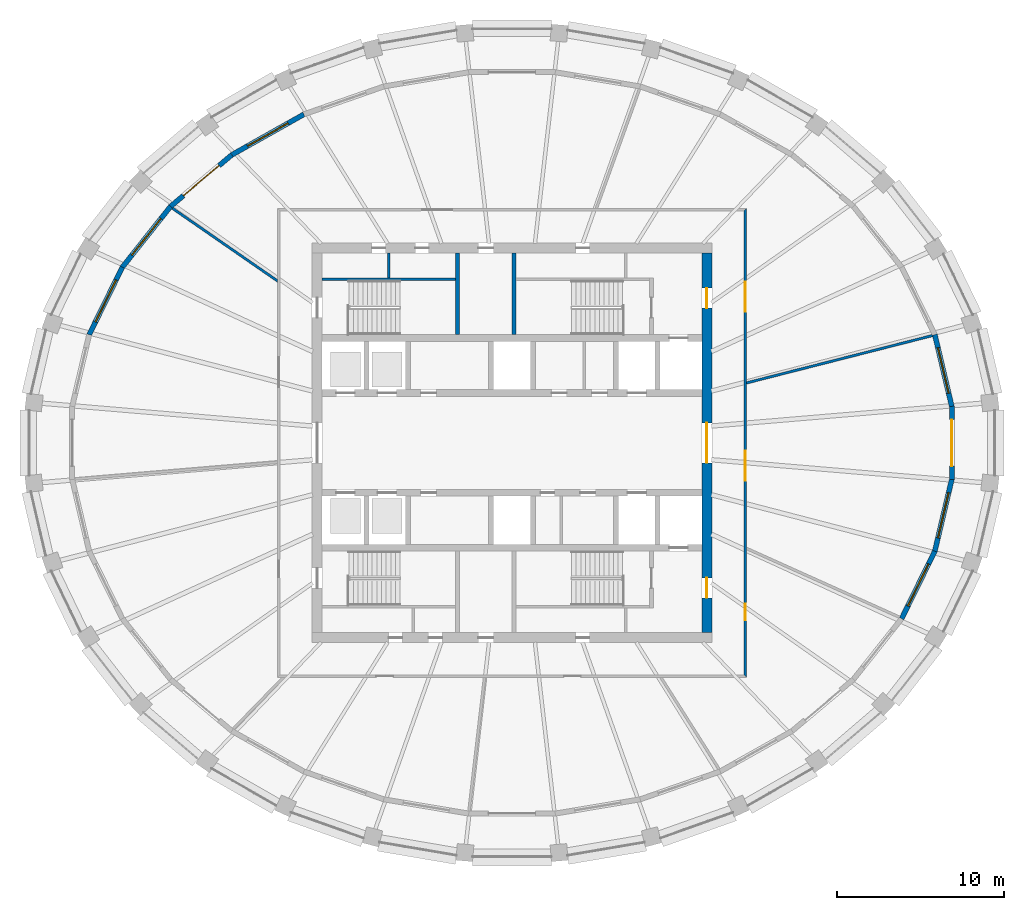
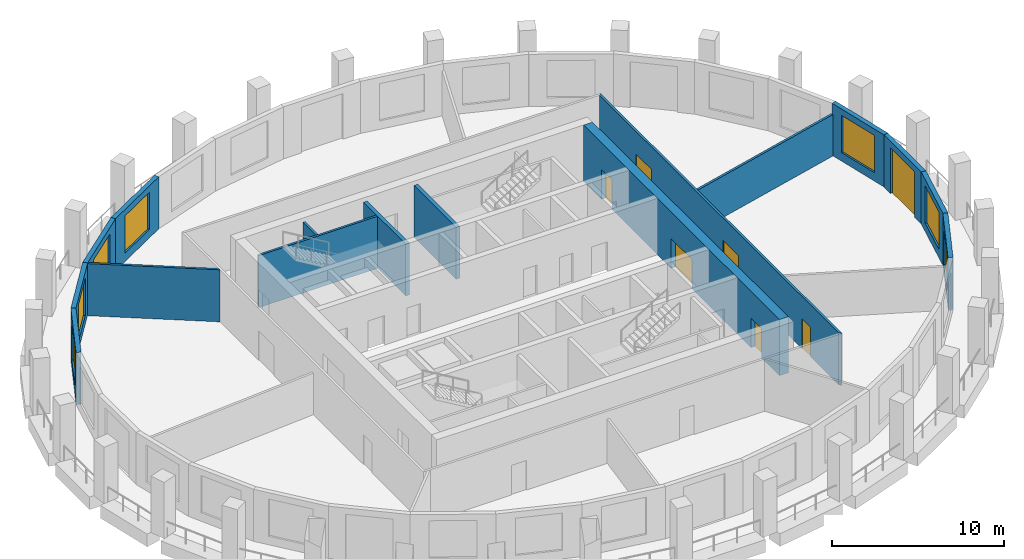
# One storey, part 5 of 10: 16 walls, 8 doors, 6 windows, 14 openings.
"""IFC4 building model written with IfcOpenShell, lengths in metres."""

from ifc_helpers import new_model, si_unit, direction, frame, frame_2d, origin, place, context, subcontext, project, spatial, polyline, rectangle, outline, extrude, material, layer, layer_set, type_object, element, fill, save


model = new_model("IFC4")

# Units and contexts
model_context = context("Model", 3, precision=1e-05, world=origin(), true_north=direction((0.0, 1.0)))
body_context = subcontext(model_context, "Body", "Model", "MODEL_VIEW")
ifc_project = project(units=[si_unit("LENGTHUNIT", "METRE"), si_unit("AREAUNIT", "SQUARE_METRE"), si_unit("VOLUMEUNIT", "CUBIC_METRE"), si_unit("PLANEANGLEUNIT", "RADIAN"), si_unit("MASSUNIT", "GRAM", prefix="KILO")], contexts=[model_context])

# Site, building, storey
site_placement = place(None, origin())
site = spatial("IfcSite", under=ifc_project, at=site_placement, CompositionType="ELEMENT")
building_placement = place(site_placement, origin())
building = spatial("IfcBuilding", under=site, at=building_placement, Name="Halqa Exchange Tower", CompositionType="ELEMENT")
storey_placement = place(building_placement, frame((0.0, 0.0, 300.300048828125)))
storey = spatial("IfcBuildingStorey", under=building, at=storey_placement, Name="L70", CompositionType="ELEMENT", Elevation=300.300048828125)

# Wall
ifc_material_1 = material(Name="Fire-rated gypsum board")
ifc_layer_1 = layer(ifc_material_1, 0.14990234375)
ifc_layer_set_1 = layer_set([ifc_layer_1], Name="Fire-rated gypsum board")
wall_type_1 = type_object("IfcWallType", Name="Fire partition EI 60 150", PredefinedType="PARTITIONING", material=ifc_layer_set_1)
wall_1_placement = place(storey_placement, frame((-20.400146484375, 14.09423828125, 0.0), z_axis=(0.0, 0.0, 1.0), x_axis=(0.822587107867, -0.568639121035, 0.0)))
element("IfcWall", 1, at=wall_1_placement, inside=storey, type_object=wall_type_1, Name="L70-PWL-001", PredefinedType="PARTITIONING", context=body_context, shape_type="SweptSolid", body=[
    extrude(outline(polyline([(7.740966796875, -0.074951171875), (7.740966796875, -0.07470703125), (7.637451171875, 0.074951171875), (5.734375, 0.074951171875), (3.8310546875, 0.074951171875), (1.927978515625, 0.074951171875), (0.024658203125, 0.074951171875), (0.004638671875, 0.001708984375), (0.0, -0.06982421875), (0.0, -0.074951171875), (1.935302734375, -0.074951171875), (3.87060546875, -0.074951171875), (5.8056640625, -0.074951171875), (7.740966796875, -0.074951171875)])), origin(), (0.0, 0.0, 1.0), 3.699951171875),
])

# Wall, openings, doors
wall_2_placement = place(storey_placement, frame((14.0, -14.074951171875, 0.0), z_axis=(0.0, 0.0, 1.0), x_axis=(0.0, 1.0, 0.0)))
wall_2 = element("IfcWall", 2, at=wall_2_placement, inside=storey, type_object=wall_type_1, Name="L70-PWL-010", PredefinedType="PARTITIONING", context=body_context, shape_type="SweptSolid", body=[
    extrude(outline(polyline([(0.0, -0.074951171875), (1.876708984375, -0.074951171875), (3.75341796875, -0.074951171875), (5.6298828125, -0.074951171875), (7.506591796875, -0.074951171875), (9.38330078125, -0.074951171875), (11.260009765625, -0.074951171875), (13.13671875, -0.074951171875), (15.01318359375, -0.074951171875), (16.889892578125, -0.074951171875), (18.7666015625, -0.074951171875), (20.643310546875, -0.074951171875), (22.52001953125, -0.074951171875), (24.396484375, -0.074951171875), (26.273193359375, -0.074951171875), (28.14990234375, -0.074951171875), (28.0, 0.074951171875), (26.0107421875, 0.074951171875), (24.021484375, 0.074951171875), (22.0322265625, 0.074951171875), (20.042724609375, 0.074951171875), (18.053466796875, 0.074951171875), (16.064208984375, 0.074951171875), (14.074951171875, 0.074951171875), (12.085693359375, 0.074951171875), (10.096435546875, 0.074951171875), (8.107177734375, 0.074951171875), (6.11767578125, 0.074951171875), (4.12841796875, 0.074951171875), (2.13916015625, 0.074951171875), (0.14990234375, 0.074951171875), (0.0, -0.074951171875)])), origin(), (0.0, 0.0, 1.0), 3.699951171875),
])
opening_1_placement = place(wall_2_placement, frame((3.425048828125, 0.0, 0.0)))
opening_1 = element("IfcOpeningElement", 3, at=opening_1_placement, cuts=wall_2, Name="Opening 21-05", PredefinedType="OPENING", context=body_context, shape_type="SweptSolid", body=[
    extrude(rectangle(XDim=1.0, YDim=2.10009765625, at=frame_2d((0.5, 1.050048828125))), frame((0.0, 0.0869140625, 0.0), z_axis=(0.0, -1.0, 0.0), x_axis=(1.0, 0.0, 0.0)), (0.0, 0.0, 1.0), 0.173828125),
])
opening_2_placement = place(wall_2_placement, frame((11.81494140625, 0.0, 0.0)))
opening_2 = element("IfcOpeningElement", 4, at=opening_2_placement, cuts=wall_2, Name="Opening 21-06", PredefinedType="OPENING", context=body_context, shape_type="SweptSolid", body=[
    extrude(rectangle(XDim=1.800048828125, YDim=2.10009765625, at=frame_2d((0.89990234375, 1.050048828125))), frame((0.0, 0.0869140625, 0.0), z_axis=(0.0, -1.0, 0.0), x_axis=(1.0, 0.0, 0.0)), (0.0, 0.0, 1.0), 0.173828125),
])
opening_3_placement = place(wall_2_placement, frame((21.965087890625, 0.0, 0.0)))
opening_3 = element("IfcOpeningElement", 5, at=opening_3_placement, cuts=wall_2, Name="Opening 21-07", PredefinedType="OPENING", context=body_context, shape_type="SweptSolid", body=[
    extrude(rectangle(XDim=1.800048828125, YDim=2.10009765625, at=frame_2d((0.89990234375, 1.050048828125))), frame((0.0, 0.0869140625, 0.0), z_axis=(0.0, -1.0, 0.0), x_axis=(1.0, 0.0, 0.0)), (0.0, 0.0, 1.0), 0.173828125),
])
ifc_material_2 = material(Name="Steel fire door leaf", Category="steel")
door_type_1 = type_object("IfcDoorType", Name="Fire door FD30S 1000 x 2100", OperationType="SINGLE_SWING_LEFT", PredefinedType="DOOR", material=ifc_material_2)
door_1_placement = place(opening_1_placement, frame((1.0, 0.0, 0.0), z_axis=(0.0, 0.0, 1.0), x_axis=(-1.0, 0.0, 0.0)))
door_1 = element("IfcDoor", 6, at=door_1_placement, inside=storey, type_object=door_type_1, Name="L70-IDR-005", OperationType="SINGLE_SWING_RIGHT", OverallHeight=2.10009765625, OverallWidth=1.0, PredefinedType="DOOR", context=body_context, shape_type="SweptSolid", body=[
    extrude(rectangle(XDim=1.0, YDim=2.10009765625, at=frame_2d((0.5, 1.050048828125))), frame((0.0, 0.02490234375, 0.0), z_axis=(0.0, -1.0, 0.0), x_axis=(1.0, 0.0, 0.0)), (0.0, 0.0, 1.0), 0.050048828125),
])
fill(opening_1, door_1)
door_type_2 = type_object("IfcDoorType", Name="Fire door FD30S double 1800 x 2100", OperationType="DOUBLE_DOOR_SINGLE_SWING", PredefinedType="DOOR", material=ifc_material_2)
door_2_placement = place(opening_2_placement, frame((1.800048828125, 0.0, 0.0), z_axis=(0.0, 0.0, 1.0), x_axis=(-1.0, 0.0, 0.0)))
door_2 = element("IfcDoor", 7, at=door_2_placement, inside=storey, type_object=door_type_2, Name="L70-IDR-006", OperationType="DOUBLE_DOOR_SINGLE_SWING", OverallHeight=2.10009765625, OverallWidth=1.800048828125, PredefinedType="DOOR", context=body_context, shape_type="SweptSolid", body=[
    extrude(rectangle(XDim=1.800048828125, YDim=2.10009765625, at=frame_2d((0.89990234375, 1.050048828125))), frame((0.0, 0.02490234375, 0.0), z_axis=(0.0, -1.0, 0.0), x_axis=(1.0, 0.0, 0.0)), (0.0, 0.0, 1.0), 0.050048828125),
])
fill(opening_2, door_2)
door_3_placement = place(opening_3_placement, frame((1.800048828125, 0.0, 0.0), z_axis=(0.0, 0.0, 1.0), x_axis=(-1.0, 0.0, 0.0)))
door_3 = element("IfcDoor", 8, at=door_3_placement, inside=storey, type_object=door_type_2, Name="L70-IDR-007", OperationType="DOUBLE_DOOR_SINGLE_SWING", OverallHeight=2.10009765625, OverallWidth=1.800048828125, PredefinedType="DOOR", context=body_context, shape_type="SweptSolid", body=[
    extrude(rectangle(XDim=1.800048828125, YDim=2.10009765625, at=frame_2d((0.89990234375, 1.050048828125))), frame((0.0, 0.02490234375, 0.0), z_axis=(0.0, -1.0, 0.0), x_axis=(1.0, 0.0, 0.0)), (0.0, 0.0, 1.0), 0.050048828125),
])
fill(opening_3, door_3)

# Walls
wall_3_placement = place(storey_placement, frame((14.056640625, 3.594482421875, 0.0), z_axis=(0.0, 0.0, 1.0), x_axis=(0.969049648941, 0.246865910742, 0.0)))
element("IfcWall", 9, at=wall_3_placement, inside=storey, type_object=wall_type_1, Name="L70-PWL-012", PredefinedType="PARTITIONING", context=body_context, shape_type="SweptSolid", body=[
    extrude(outline(polyline([(11.548095703125, -0.074951171875), (11.548095703125, 0.0107421875), (11.53466796875, 0.074951171875), (9.618408203125, 0.074951171875), (7.702392578125, 0.074951171875), (5.786376953125, 0.074951171875), (3.8701171875, 0.074951171875), (1.9541015625, 0.074951171875), (0.0380859375, 0.074951171875), (0.0, -0.074462890625), (0.0, -0.074951171875), (1.9248046875, -0.074951171875), (3.849365234375, -0.074951171875), (5.77392578125, -0.074951171875), (7.69873046875, -0.074951171875), (9.62353515625, -0.074951171875), (11.548095703125, -0.074951171875)])), origin(), (0.0, 0.0, 1.0), 2.947021484375),
])
ifc_material_3 = material(Name="Gypsum board")
ifc_layer_2 = layer(ifc_material_3, 0.14990234375)
ifc_layer_set_2 = layer_set([ifc_layer_2], Name="Gypsum board")
wall_type_2 = type_object("IfcWallType", Name="Penthouse riser wall 150 gypsum", PredefinedType="PARTITIONING", material=ifc_layer_set_2)
wall_4_placement = place(storey_placement, frame((-7.39990234375, 9.89990234375, 0.0), z_axis=(0.0, 0.0, 1.0), x_axis=(0.0, 1.0, 0.0)))
element("IfcWall", 10, at=wall_4_placement, inside=storey, type_object=wall_type_2, Name="Partition W7.400 N", PredefinedType="PARTITIONING", context=body_context, shape_type="SweptSolid", body=[
    extrude(rectangle(XDim=1.5, YDim=0.14990234375, at=frame_2d((0.75, 0.0))), origin(), (0.0, 0.0, 1.0), 3.699951171875),
])

# Wall, openings, doors
ifc_material_4 = material(Name="Concrete C60/75", Category="concrete")
ifc_layer_3 = layer(ifc_material_4, 0.60009765625)
ifc_layer_set_3 = layer_set([ifc_layer_3], Name="Concrete C60/75")
wall_type_3 = type_object("IfcWallType", Name="RC core wall 600 C60/75", PredefinedType="SHEAR", material=ifc_layer_set_3)
wall_5_placement = place(storey_placement, frame((11.699951171875, -11.39990234375, 0.0), z_axis=(0.0, 0.0, 1.0), x_axis=(0.0, 1.0, 0.0)))
wall_5 = element("IfcWall", 11, at=wall_5_placement, inside=storey, type_object=wall_type_3, Name="Core wall east", PredefinedType="SHEAR", context=body_context, shape_type="SweptSolid", body=[
    extrude(rectangle(XDim=22.7998046875, YDim=0.60009765625, at=frame_2d((11.39990234375, 0.0))), origin(), (0.0, 0.0, 1.0), 4.0),
])
opening_4_placement = place(wall_5_placement, frame((10.199951171875, 0.0, 0.0)))
opening_4 = element("IfcOpeningElement", 12, at=opening_4_placement, cuts=wall_5, Name="Opening T21-C10", PredefinedType="OPENING", context=body_context, shape_type="SweptSolid", body=[
    extrude(rectangle(XDim=2.39990234375, YDim=2.10009765625, at=frame_2d((1.199951171875, 1.050048828125))), frame((0.0, 0.31201171875, 0.0), z_axis=(0.0, -1.0, 0.0), x_axis=(1.0, 0.0, 0.0)), (0.0, 0.0, 1.0), 0.6240234375),
])
opening_5_placement = place(wall_5_placement, frame((19.5, 0.0, 0.0)))
opening_5 = element("IfcOpeningElement", 13, at=opening_5_placement, cuts=wall_5, Name="Opening T21-C15", PredefinedType="OPENING", context=body_context, shape_type="SweptSolid", body=[
    extrude(rectangle(XDim=1.199951171875, YDim=2.10009765625, at=frame_2d((0.60009765625, 1.050048828125))), frame((0.0, 0.31201171875, 0.0), z_axis=(0.0, -1.0, 0.0), x_axis=(1.0, 0.0, 0.0)), (0.0, 0.0, 1.0), 0.6240234375),
])
opening_6_placement = place(wall_5_placement, frame((2.10009765625, 0.0, 0.0)))
opening_6 = element("IfcOpeningElement", 14, at=opening_6_placement, cuts=wall_5, Name="Opening T21-C16", PredefinedType="OPENING", context=body_context, shape_type="SweptSolid", body=[
    extrude(rectangle(XDim=1.199951171875, YDim=2.10009765625, at=frame_2d((0.60009765625, 1.050048828125))), frame((0.0, 0.31201171875, 0.0), z_axis=(0.0, -1.0, 0.0), x_axis=(1.0, 0.0, 0.0)), (0.0, 0.0, 1.0), 0.6240234375),
])
door_type_3 = type_object("IfcDoorType", Name="Firefighting lobby door FD90 1200 x 2100", OperationType="SINGLE_SWING_RIGHT", PredefinedType="DOOR", material=ifc_material_2)
door_4_placement = place(opening_5_placement, origin())
door_4 = element("IfcDoor", 15, at=door_4_placement, inside=storey, type_object=door_type_3, Name="Firefighting lobby door", OperationType="SINGLE_SWING_RIGHT", OverallHeight=2.10009765625, OverallWidth=1.199951171875, PredefinedType="DOOR", context=body_context, shape_type="SweptSolid", body=[
    extrude(rectangle(XDim=1.199951171875, YDim=2.10009765625, at=frame_2d((0.60009765625, 1.050048828125))), frame((0.0, 0.02490234375, 0.0), z_axis=(0.0, -1.0, 0.0), x_axis=(1.0, 0.0, 0.0)), (0.0, 0.0, 1.0), 0.050048828125),
])
fill(opening_5, door_4)
door_5_placement = place(opening_6_placement, origin())
door_5 = element("IfcDoor", 16, at=door_5_placement, inside=storey, type_object=door_type_3, Name="Firefighting lobby door", OperationType="SINGLE_SWING_LEFT", OverallHeight=2.10009765625, OverallWidth=1.199951171875, PredefinedType="DOOR", context=body_context, shape_type="SweptSolid", body=[
    extrude(rectangle(XDim=1.199951171875, YDim=2.10009765625, at=frame_2d((0.60009765625, 1.050048828125))), frame((0.0, 0.02490234375, 0.0), z_axis=(0.0, -1.0, 0.0), x_axis=(1.0, 0.0, 0.0)), (0.0, 0.0, 1.0), 0.050048828125),
])
fill(opening_6, door_5)
door_type_4 = type_object("IfcDoorType", Name="Lobby double door FD60 2400 x 2100", OperationType="DOUBLE_DOOR_SINGLE_SWING", PredefinedType="DOOR", material=ifc_material_2)
door_6_placement = place(opening_4_placement, origin())
door_6 = element("IfcDoor", 17, at=door_6_placement, inside=storey, type_object=door_type_4, Name="Lift lobby double door", OperationType="DOUBLE_DOOR_SINGLE_SWING", OverallHeight=2.10009765625, OverallWidth=2.39990234375, PredefinedType="DOOR", context=body_context, shape_type="SweptSolid", body=[
    extrude(rectangle(XDim=2.39990234375, YDim=2.10009765625, at=frame_2d((1.199951171875, 1.050048828125))), frame((0.0, 0.02490234375, 0.0), z_axis=(0.0, -1.0, 0.0), x_axis=(1.0, 0.0, 0.0)), (0.0, 0.0, 1.0), 0.050048828125),
])
fill(opening_4, door_6)

# Walls
ifc_material_5 = material(Name="Concrete C30/37", Category="concrete")
ifc_layer_4 = layer(ifc_material_5, 0.14990234375)
ifc_layer_set_4 = layer_set([ifc_layer_4], Name="Concrete C30/37")
wall_type_4 = type_object("IfcWallType", Name="RC stair wall 150 C30/37", PredefinedType="SHEAR", material=ifc_layer_set_4)
wall_6_placement = place(storey_placement, frame((-11.39990234375, 9.824951171875, 0.0), z_axis=(0.0, 0.0, 1.0), x_axis=(1.0, 0.0, 0.0)))
element("IfcWall", 18, at=wall_6_placement, inside=storey, type_object=wall_type_4, Name="Stair ST1 north wall N", PredefinedType="SHEAR", context=body_context, shape_type="SweptSolid", body=[
    extrude(rectangle(XDim=8.0, YDim=0.14990234375, at=frame_2d((4.0, 0.0))), origin(), (0.0, 0.0, 1.0), 3.699951171875),
])
ifc_layer_5 = layer(ifc_material_5, 0.25)
ifc_layer_set_5 = layer_set([ifc_layer_5], Name="Concrete C30/37")
wall_type_5 = type_object("IfcWallType", Name="RC stair wall 250 C30/37", PredefinedType="SHEAR", material=ifc_layer_set_5)
for number, where, z_axis, x_axis, name in (
    (19, (-3.27490234375, 6.5, 0.0), (0.0, 0.0, 1.0), (0.0, 1.0, 0.0), "Stair ST1 east wall N"),
    (20, (0.125, 6.5, 0.0), (0.0, 0.0, 1.0), (0.0, 1.0, 0.0), "Stair ST2 west wall N"),
):
    element("IfcWall", number, at=place(storey_placement, frame(where, z_axis=z_axis, x_axis=x_axis)), inside=storey, type_object=wall_type_5, Name=name, PredefinedType="SHEAR", context=body_context, shape_type="SweptSolid", body=[
        extrude(rectangle(XDim=4.89990234375, YDim=0.25, at=frame_2d((2.449951171875, 0.0))), origin(), (0.0, 0.0, 1.0), 3.699951171875),
    ])

# Wall, opening, window
ifc_material_6 = material(Name="Limestone cladding", Category="masonry")
ifc_layer_6 = layer(ifc_material_6, 0.0400390625)
ifc_material_7 = material(Name="Ventilated cavity")
ifc_layer_7 = layer(ifc_material_7, 0.030029296875, ventilated=True)
ifc_material_8 = material(Name="Mineral wool insulation")
ifc_layer_8 = layer(ifc_material_8, 0.10009765625)
ifc_layer_9 = layer(ifc_material_5, 0.10009765625)
ifc_material_9 = material(Name="Internal plaster")
ifc_layer_10 = layer(ifc_material_9, 0.030029296875)
ifc_layer_set_6 = layer_set([ifc_layer_6, ifc_layer_7, ifc_layer_8, ifc_layer_9, ifc_layer_10], Name="Stone-faced insulated wall 300")
wall_type_6 = type_object("IfcWallType", Name="Stone-faced insulated wall 300", PredefinedType="STANDARD", material=ifc_layer_set_6)
wall_7_placement = place(storey_placement, frame((26.4072265625, 2.195068359375, 0.0), z_axis=(0.0, 0.0, 1.0), x_axis=(-0.229943714271, 0.973203929435, 0.0)))
wall_7 = element("IfcWall", 21, at=wall_7_placement, inside=storey, type_object=wall_type_6, Name="Glass-line wall 1", PredefinedType="STANDARD", context=body_context, shape_type="SweptSolid", body=[
    extrude(outline(polyline([(-0.017578125, -0.14990234375), (4.43994140625, -0.14990234375), (4.40625, 0.14990234375), (0.017578125, 0.14990234375), (-0.017578125, -0.14990234375)])), origin(), (0.0, 0.0, 1.0), 3.699951171875),
])
opening_7_placement = place(wall_7_placement, frame((0.8115234375, 0.0, 0.60009765625)))
opening_7 = element("IfcOpeningElement", 22, at=opening_7_placement, cuts=wall_7, Name="Opening W-F4-01", PredefinedType="OPENING", context=body_context, shape_type="SweptSolid", body=[
    extrude(rectangle(XDim=2.800048828125, YDim=2.64990234375, at=frame_2d((1.39990234375, 1.324951171875))), frame((0.0, 0.162109375, 0.0), z_axis=(0.0, -1.0, 0.0), x_axis=(1.0, 0.0, 0.0)), (0.0, 0.0, 1.0), 0.323974609375),
])
ifc_material_10 = material(Name="Clear low-emissivity glass in aluminium frame", Category="aluminium")
window_type = type_object("IfcWindowType", Name="Fixed clear glazed window 2800 x 2650", PartitioningType="DOUBLE_PANEL_VERTICAL", PredefinedType="WINDOW", material=ifc_material_10)
window_1_placement = place(opening_7_placement, origin())
window_1 = element("IfcWindow", 23, at=window_1_placement, inside=storey, type_object=window_type, Name="Window 4", OverallHeight=2.64990234375, OverallWidth=2.800048828125, PartitioningType="DOUBLE_PANEL_VERTICAL", PredefinedType="WINDOW", context=body_context, shape_type="SweptSolid", body=[
    extrude(rectangle(XDim=2.800048828125, YDim=2.64990234375, at=frame_2d((1.39990234375, 1.324951171875))), frame((0.0, 0.030029296875, 0.0), z_axis=(0.0, -1.0, 0.0), x_axis=(1.0, 0.0, 0.0)), (0.0, 0.0, 1.0), 0.06005859375),
])
fill(opening_7, window_1)

wall_8_placement = place(storey_placement, frame((-12.49951171875, 19.729248046875, 0.0), z_axis=(0.0, 0.0, 1.0), x_axis=(-0.871512454536, -0.490373369575, 0.0)))
wall_8 = element("IfcWall", 24, at=wall_8_placement, inside=storey, type_object=wall_type_6, Name="Glass-line wall 11", PredefinedType="STANDARD", context=body_context, shape_type="SweptSolid", body=[
    extrude(outline(polyline([(-0.013427734375, -0.14990234375), (4.975830078125, -0.14990234375), (4.947509765625, 0.14990234375), (0.013427734375, 0.14990234375), (-0.013427734375, -0.14990234375)])), origin(), (0.0, 0.0, 1.0), 3.699951171875),
])
opening_8_placement = place(wall_8_placement, frame((1.080810546875, 0.0, 0.60009765625)))
opening_8 = element("IfcOpeningElement", 25, at=opening_8_placement, cuts=wall_8, Name="Opening W-F4-11", PredefinedType="OPENING", context=body_context, shape_type="SweptSolid", body=[
    extrude(rectangle(XDim=2.800048828125, YDim=2.64990234375, at=frame_2d((1.39990234375, 1.324951171875))), frame((0.0, 0.162109375, 0.0), z_axis=(0.0, -1.0, 0.0), x_axis=(1.0, 0.0, 0.0)), (0.0, 0.0, 1.0), 0.323974609375),
])
window_2_placement = place(opening_8_placement, origin())
window_2 = element("IfcWindow", 26, at=window_2_placement, inside=storey, type_object=window_type, Name="Window 4", OverallHeight=2.64990234375, OverallWidth=2.800048828125, PartitioningType="DOUBLE_PANEL_VERTICAL", PredefinedType="WINDOW", context=body_context, shape_type="SweptSolid", body=[
    extrude(rectangle(XDim=2.800048828125, YDim=2.64990234375, at=frame_2d((1.39990234375, 1.324951171875))), frame((0.0, 0.030029296875, 0.0), z_axis=(0.0, -1.0, 0.0), x_axis=(1.0, 0.0, 0.0)), (0.0, 0.0, 1.0), 0.06005859375),
])
fill(opening_8, window_2)

# Wall, opening, door
wall_9_placement = place(storey_placement, frame((-16.82373046875, 17.296142578125, 0.0), z_axis=(0.0, 0.0, 1.0), x_axis=(-0.764966473721, -0.644070100286, 0.0)))
wall_9 = element("IfcWall", 27, at=wall_9_placement, inside=storey, type_object=wall_type_6, Name="Glass-line wall 12", PredefinedType="STANDARD", context=body_context, shape_type="SweptSolid", body=[
    extrude(outline(polyline([(-0.01416015625, -0.14990234375), (4.825439453125, -0.14990234375), (4.795166015625, 0.14990234375), (0.01416015625, 0.14990234375), (-0.01416015625, -0.14990234375)])), origin(), (0.0, 0.0, 1.0), 3.699951171875),
])
opening_9_placement = place(wall_9_placement, frame((1.005126953125, 0.0, 0.0)))
opening_9 = element("IfcOpeningElement", 28, at=opening_9_placement, cuts=wall_9, Name="Opening LG-F4-03", PredefinedType="OPENING", context=body_context, shape_type="SweptSolid", body=[
    extrude(rectangle(XDim=2.800048828125, YDim=3.25, at=frame_2d((1.39990234375, 1.625))), frame((0.0, 0.162109375, 0.0), z_axis=(0.0, -1.0, 0.0), x_axis=(1.0, 0.0, 0.0)), (0.0, 0.0, 1.0), 0.323974609375),
])
door_type_5 = type_object("IfcDoorType", Name="Glazed sliding loggia door 2800 x 3250", OperationType="DOUBLE_DOOR_SLIDING", PredefinedType="DOOR", material=ifc_material_10)
door_7_placement = place(opening_9_placement, origin())
door_7 = element("IfcDoor", 29, at=door_7_placement, inside=storey, type_object=door_type_5, Name="Loggia door 3", OperationType="DOUBLE_DOOR_SLIDING", OverallHeight=3.25, OverallWidth=2.800048828125, PredefinedType="DOOR", context=body_context, shape_type="SweptSolid", body=[
    extrude(rectangle(XDim=2.800048828125, YDim=3.25, at=frame_2d((1.39990234375, 1.625))), frame((0.0, 0.02490234375, 0.0), z_axis=(0.0, -1.0, 0.0), x_axis=(1.0, 0.0, 0.0)), (0.0, 0.0, 1.0), 0.050048828125),
])
fill(opening_9, door_7)

# Wall, opening, window
wall_10_placement = place(storey_placement, frame((-20.50341796875, 14.197998046875, 0.0), z_axis=(0.0, 0.0, 1.0), x_axis=(-0.621625671247, -0.783314448256, 0.0)))
wall_10 = element("IfcWall", 30, at=wall_10_placement, inside=storey, type_object=wall_type_6, Name="Glass-line wall 13", PredefinedType="STANDARD", context=body_context, shape_type="SweptSolid", body=[
    extrude(outline(polyline([(-0.01513671875, -0.14990234375), (4.669677734375, -0.14990234375), (4.637451171875, 0.14990234375), (0.01513671875, 0.14990234375), (-0.01513671875, -0.14990234375)])), origin(), (0.0, 0.0, 1.0), 3.699951171875),
])
opening_10_placement = place(wall_10_placement, frame((0.927001953125, 0.0, 0.60009765625)))
opening_10 = element("IfcOpeningElement", 31, at=opening_10_placement, cuts=wall_10, Name="Opening W-F4-13", PredefinedType="OPENING", context=body_context, shape_type="SweptSolid", body=[
    extrude(rectangle(XDim=2.800048828125, YDim=2.64990234375, at=frame_2d((1.39990234375, 1.324951171875))), frame((0.0, 0.162109375, 0.0), z_axis=(0.0, -1.0, 0.0), x_axis=(1.0, 0.0, 0.0)), (0.0, 0.0, 1.0), 0.323974609375),
])
window_3_placement = place(opening_10_placement, origin())
window_3 = element("IfcWindow", 32, at=window_3_placement, inside=storey, type_object=window_type, Name="Window 4", OverallHeight=2.64990234375, OverallWidth=2.800048828125, PartitioningType="DOUBLE_PANEL_VERTICAL", PredefinedType="WINDOW", context=body_context, shape_type="SweptSolid", body=[
    extrude(rectangle(XDim=2.800048828125, YDim=2.64990234375, at=frame_2d((1.39990234375, 1.324951171875))), frame((0.0, 0.030029296875, 0.0), z_axis=(0.0, -1.0, 0.0), x_axis=(1.0, 0.0, 0.0)), (0.0, 0.0, 1.0), 0.06005859375),
])
fill(opening_10, window_3)

wall_11_placement = place(storey_placement, frame((-23.396240234375, 10.552734375, 0.0), z_axis=(0.0, 0.0, 1.0), x_axis=(-0.441431671743, -0.897294867467, 0.0)))
wall_11 = element("IfcWall", 33, at=wall_11_placement, inside=storey, type_object=wall_type_6, Name="Glass-line wall 14", PredefinedType="STANDARD", context=body_context, shape_type="SweptSolid", body=[
    extrude(outline(polyline([(-0.01611328125, -0.14990234375), (4.53369140625, -0.14990234375), (4.5, 0.14990234375), (0.01611328125, 0.14990234375), (-0.01611328125, -0.14990234375)])), origin(), (0.0, 0.0, 1.0), 3.699951171875),
])
opening_11_placement = place(wall_11_placement, frame((0.8583984375, 0.0, 0.60009765625)))
opening_11 = element("IfcOpeningElement", 34, at=opening_11_placement, cuts=wall_11, Name="Opening W-F4-14", PredefinedType="OPENING", context=body_context, shape_type="SweptSolid", body=[
    extrude(rectangle(XDim=2.800048828125, YDim=2.64990234375, at=frame_2d((1.39990234375, 1.324951171875))), frame((0.0, 0.162109375, 0.0), z_axis=(0.0, -1.0, 0.0), x_axis=(1.0, 0.0, 0.0)), (0.0, 0.0, 1.0), 0.323974609375),
])
window_4_placement = place(opening_11_placement, origin())
window_4 = element("IfcWindow", 35, at=window_4_placement, inside=storey, type_object=window_type, Name="Window 4", OverallHeight=2.64990234375, OverallWidth=2.800048828125, PartitioningType="DOUBLE_PANEL_VERTICAL", PredefinedType="WINDOW", context=body_context, shape_type="SweptSolid", body=[
    extrude(rectangle(XDim=2.800048828125, YDim=2.64990234375, at=frame_2d((1.39990234375, 1.324951171875))), frame((0.0, 0.030029296875, 0.0), z_axis=(0.0, -1.0, 0.0), x_axis=(1.0, 0.0, 0.0)), (0.0, 0.0, 1.0), 0.06005859375),
])
fill(opening_11, window_4)

wall_12_placement = place(storey_placement, frame((23.396240234375, -10.552734375, 0.0), z_axis=(0.0, 0.0, 1.0), x_axis=(0.441431671743, 0.897294867467, 0.0)))
wall_12 = element("IfcWall", 36, at=wall_12_placement, inside=storey, type_object=wall_type_6, Name="Glass-line wall 30", PredefinedType="STANDARD", context=body_context, shape_type="SweptSolid", body=[
    extrude(outline(polyline([(-0.01611328125, -0.14990234375), (4.53369140625, -0.14990234375), (4.5, 0.14990234375), (0.01611328125, 0.14990234375), (-0.01611328125, -0.14990234375)])), origin(), (0.0, 0.0, 1.0), 3.699951171875),
])
opening_12_placement = place(wall_12_placement, frame((0.8583984375, 0.0, 0.60009765625)))
opening_12 = element("IfcOpeningElement", 37, at=opening_12_placement, cuts=wall_12, Name="Opening W-F4-30", PredefinedType="OPENING", context=body_context, shape_type="SweptSolid", body=[
    extrude(rectangle(XDim=2.800048828125, YDim=2.64990234375, at=frame_2d((1.39990234375, 1.324951171875))), frame((0.0, 0.162109375, 0.0), z_axis=(0.0, -1.0, 0.0), x_axis=(1.0, 0.0, 0.0)), (0.0, 0.0, 1.0), 0.323974609375),
])
window_5_placement = place(opening_12_placement, origin())
window_5 = element("IfcWindow", 38, at=window_5_placement, inside=storey, type_object=window_type, Name="Window 4", OverallHeight=2.64990234375, OverallWidth=2.800048828125, PartitioningType="DOUBLE_PANEL_VERTICAL", PredefinedType="WINDOW", context=body_context, shape_type="SweptSolid", body=[
    extrude(rectangle(XDim=2.800048828125, YDim=2.64990234375, at=frame_2d((1.39990234375, 1.324951171875))), frame((0.0, 0.030029296875, 0.0), z_axis=(0.0, -1.0, 0.0), x_axis=(1.0, 0.0, 0.0)), (0.0, 0.0, 1.0), 0.06005859375),
])
fill(opening_12, window_5)

wall_13_placement = place(storey_placement, frame((25.39013671875, -6.499755859375, 0.0), z_axis=(0.0, 0.0, 1.0), x_axis=(0.229943714271, 0.973203929435, 0.0)))
wall_13 = element("IfcWall", 39, at=wall_13_placement, inside=storey, type_object=wall_type_6, Name="Glass-line wall 31", PredefinedType="STANDARD", context=body_context, shape_type="SweptSolid", body=[
    extrude(outline(polyline([(-0.016845703125, -0.14990234375), (4.440673828125, -0.14990234375), (4.405517578125, 0.14990234375), (0.016845703125, 0.14990234375), (-0.016845703125, -0.14990234375)])), origin(), (0.0, 0.0, 1.0), 3.699951171875),
])
opening_13_placement = place(wall_13_placement, frame((0.8115234375, 0.0, 0.60009765625)))
opening_13 = element("IfcOpeningElement", 40, at=opening_13_placement, cuts=wall_13, Name="Opening W-F4-31", PredefinedType="OPENING", context=body_context, shape_type="SweptSolid", body=[
    extrude(rectangle(XDim=2.800048828125, YDim=2.64990234375, at=frame_2d((1.39990234375, 1.324951171875))), frame((0.0, 0.162109375, 0.0), z_axis=(0.0, -1.0, 0.0), x_axis=(1.0, 0.0, 0.0)), (0.0, 0.0, 1.0), 0.323974609375),
])
window_6_placement = place(opening_13_placement, origin())
window_6 = element("IfcWindow", 41, at=window_6_placement, inside=storey, type_object=window_type, Name="Window 4", OverallHeight=2.64990234375, OverallWidth=2.800048828125, PartitioningType="DOUBLE_PANEL_VERTICAL", PredefinedType="WINDOW", context=body_context, shape_type="SweptSolid", body=[
    extrude(rectangle(XDim=2.800048828125, YDim=2.64990234375, at=frame_2d((1.39990234375, 1.324951171875))), frame((0.0, 0.030029296875, 0.0), z_axis=(0.0, -1.0, 0.0), x_axis=(1.0, 0.0, 0.0)), (0.0, 0.0, 1.0), 0.06005859375),
])
fill(opening_13, window_6)

# Wall, opening, door
wall_14_placement = place(storey_placement, frame((26.4072265625, -2.195068359375, 0.0), z_axis=(0.0, 0.0, 1.0), x_axis=(0.0, 1.0, 0.0)))
wall_14 = element("IfcWall", 42, at=wall_14_placement, inside=storey, type_object=wall_type_6, Name="Glass-line wall 32", PredefinedType="STANDARD", context=body_context, shape_type="SweptSolid", body=[
    extrude(outline(polyline([(-0.017578125, -0.14990234375), (4.40771484375, -0.14990234375), (4.37255859375, 0.14990234375), (0.017578125, 0.14990234375), (-0.017578125, -0.14990234375)])), origin(), (0.0, 0.0, 1.0), 3.699951171875),
])
opening_14_placement = place(wall_14_placement, frame((0.794921875, 0.0, 0.0)))
opening_14 = element("IfcOpeningElement", 43, at=opening_14_placement, cuts=wall_14, Name="Opening LG-F4-08", PredefinedType="OPENING", context=body_context, shape_type="SweptSolid", body=[
    extrude(rectangle(XDim=2.800048828125, YDim=3.25, at=frame_2d((1.39990234375, 1.625))), frame((0.0, 0.162109375, 0.0), z_axis=(0.0, -1.0, 0.0), x_axis=(1.0, 0.0, 0.0)), (0.0, 0.0, 1.0), 0.323974609375),
])
door_8_placement = place(opening_14_placement, origin())
door_8 = element("IfcDoor", 44, at=door_8_placement, inside=storey, type_object=door_type_5, Name="Loggia door 8", OperationType="DOUBLE_DOOR_SLIDING", OverallHeight=3.25, OverallWidth=2.800048828125, PredefinedType="DOOR", context=body_context, shape_type="SweptSolid", body=[
    extrude(rectangle(XDim=2.800048828125, YDim=3.25, at=frame_2d((1.39990234375, 1.625))), frame((0.0, 0.02490234375, 0.0), z_axis=(0.0, -1.0, 0.0), x_axis=(1.0, 0.0, 0.0)), (0.0, 0.0, 1.0), 0.050048828125),
])
fill(opening_14, door_8)

save(model, "model.ifc")
